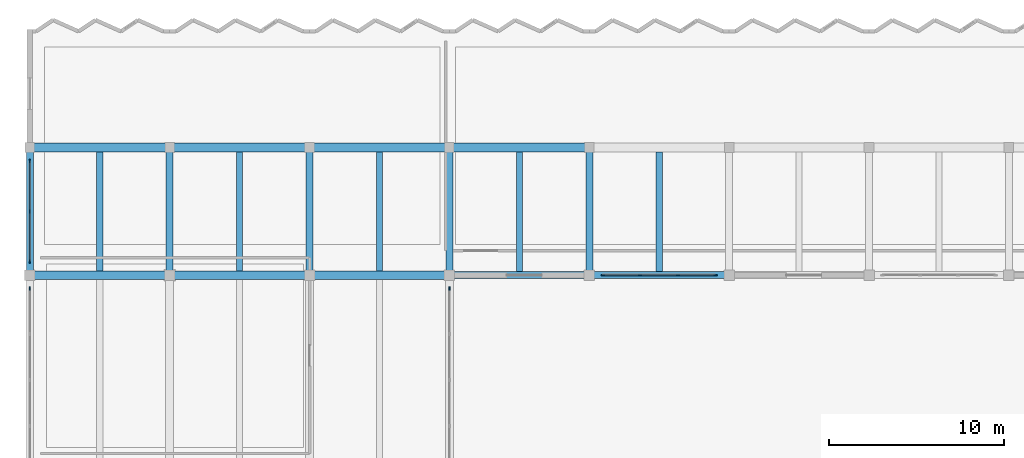
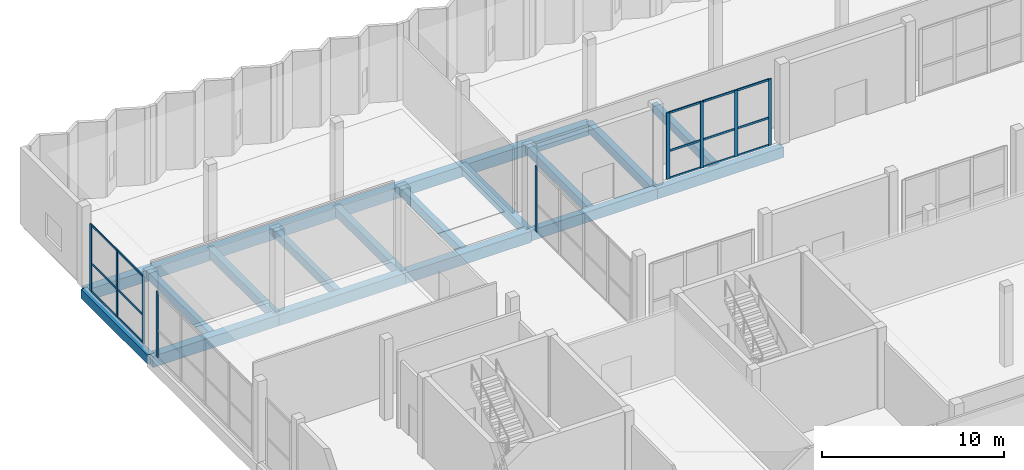
# One storey, part 12 of 41: 24 members, 19 beams, 4 elements without a shape of their own.
"""IFC4 building model written with IfcOpenShell, lengths in metres."""

import ifcopenshell
import ifcopenshell.guid

model = None  # the IFC model being written
_history = None  # IfcOwnerHistory: only IFC2X3 demands one
_inside = {}  # id of a spatial element -> (the spatial element, [elements in it])
_under = {}  # id of a project, library or spatial element -> (it, [spatial elements below it])
_declared = {}  # id of a project -> (the project, [libraries it declares])
_typed = {}  # id of a type object -> (the type object, [elements of that type])
_made_of = {}  # id of a material, layer set ... -> (it, [elements and type objects made of it])


def new_model(schema):
    """Start an empty IFC model of exactly this schema.

    Asked for "IFC4X3", IfcOpenShell would pick the latest addendum, in which some entities
    have other attributes; the version numbers below select the first issue.
    IFC2X3 requires an IfcOwnerHistory on every rooted entity: one is made here for all.
    """
    global model, _history
    if schema == "IFC4X3":
        model = ifcopenshell.file(schema_version=(4, 3, 0, 0))
    else:
        model = ifcopenshell.file(schema=schema)
    _inside.clear()
    _under.clear()
    _declared.clear()
    _typed.clear()
    _made_of.clear()
    _history = None
    if model.schema == "IFC2X3":
        org = make("IfcOrganization", Name="unknown")
        user = make(
            "IfcPersonAndOrganization",
            ThePerson=make("IfcPerson", FamilyName="unknown"),
            TheOrganization=org,
        )
        app = make(
            "IfcApplication",
            ApplicationDeveloper=org,
            Version="unknown",
            ApplicationFullName="unknown",
            ApplicationIdentifier="unknown",
        )
        _history = make(
            "IfcOwnerHistory",
            OwningUser=user,
            OwningApplication=app,
            ChangeAction="ADDED",
            CreationDate=0,
        )
    return model


def make(cls, **values):
    """One entity of the class cls with the attributes given. An attribute that is None is left unset."""
    return model.create_entity(
        cls, **{name: value for name, value in values.items() if value is not None}
    )


def rooted(cls, **values):
    """An entity with a GlobalId (a new one), such as an element, a storey or a relation."""
    return make(cls, GlobalId=ifcopenshell.guid.new(), OwnerHistory=_history, **values)


def si_unit(unit_type, name, prefix=None):
    """IfcSIUnit, for example si_unit("LENGTHUNIT", "METRE", prefix="MILLI")."""
    return make("IfcSIUnit", UnitType=unit_type, Prefix=prefix, Name=name)


def assignment(units):
    """IfcUnitAssignment: the units of a project."""
    return None if units is None else make("IfcUnitAssignment", Units=units)


def point(xyz):
    """IfcCartesianPoint."""
    return None if xyz is None else make("IfcCartesianPoint", Coordinates=xyz)


def direction(xyz):
    """IfcDirection."""
    return None if xyz is None else make("IfcDirection", DirectionRatios=xyz)


def frame(location, z_axis=None, x_axis=None):
    """IfcAxis2Placement3D, a coordinate frame: its origin and axes. An axis left out is left unset."""
    return make(
        "IfcAxis2Placement3D",
        Location=point(location),
        Axis=direction(z_axis),
        RefDirection=direction(x_axis),
    )


def frame_2d(location, x_axis=None):
    """IfcAxis2Placement2D, a coordinate frame in the plane: its origin and x axis."""
    return make(
        "IfcAxis2Placement2D", Location=point(location), RefDirection=direction(x_axis)
    )


def origin():
    """The frame at (0, 0, 0) with its axes left unset."""
    return frame((0.0, 0.0, 0.0))


def origin_2d():
    """The frame at (0, 0) in the plane with its x axis left unset."""
    return frame_2d((0.0, 0.0))


def place(relative_to, where):
    """IfcLocalPlacement: puts the frame where relative to a parent placement (None: the world)."""
    return make(
        "IfcLocalPlacement", PlacementRelTo=relative_to, RelativePlacement=where
    )


def context(
    kind, dimensions, precision=None, world=None, true_north=None, identifier=None
):
    """IfcGeometricRepresentationContext, for example the 3D "Model" context."""
    return make(
        "IfcGeometricRepresentationContext",
        ContextIdentifier=identifier,
        ContextType=kind,
        CoordinateSpaceDimension=dimensions,
        Precision=precision,
        WorldCoordinateSystem=world,
        TrueNorth=true_north,
    )


def subcontext(parent, identifier, kind, view, scale=None):
    """IfcGeometricRepresentationSubContext, for example "Body" below "Model"."""
    return make(
        "IfcGeometricRepresentationSubContext",
        ContextIdentifier=identifier,
        ContextType=kind,
        ParentContext=parent,
        TargetScale=scale,
        TargetView=view,
    )


def project(units=None, contexts=None):
    """IfcProject with its units and contexts."""
    return rooted(
        "IfcProject",
        Name="project",
        RepresentationContexts=contexts,
        UnitsInContext=assignment(units),
    )


def spatial(cls, under=None, at=None, **own):
    """A site, building, storey or space (cls), placed at a placement, below another one or the project."""
    s = rooted(cls, ObjectPlacement=at, **own)
    if under is not None:
        _under.setdefault(under.id(), (under, []))[1].append(s)
    return s


def profile(cls, at=None, kind="AREA", **sizes):
    """A parametric profile (cls). Its sizes go by their IFC names, for example OverallWidth=200.0."""
    return make(cls, ProfileType=kind, Position=at, **sizes)


def rectangle(**sizes):
    """IfcRectangleProfileDef."""
    return profile("IfcRectangleProfileDef", **sizes)


def extrude(swept, where, along, depth):
    """IfcExtrudedAreaSolid: the profile swept, set in the frame where, extruded along a direction by depth."""
    return make(
        "IfcExtrudedAreaSolid",
        SweptArea=swept,
        Position=where,
        ExtrudedDirection=direction(along),
        Depth=depth,
    )


def shape(context_of_items, identifier, shape_type, items):
    """IfcShapeRepresentation: the items that make up one representation, for example the "Body"."""
    return make(
        "IfcShapeRepresentation",
        ContextOfItems=context_of_items,
        RepresentationIdentifier=identifier,
        RepresentationType=shape_type,
        Items=items,
    )


def material(Name=None, Category=None):
    """IfcMaterial."""
    return make("IfcMaterial", Name=Name, Category=Category)


def material_profile(
    of_material, cross_section, Name=None, Category=None, Priority=None
):
    """IfcMaterialProfile: a cross section and its material."""
    return make(
        "IfcMaterialProfile",
        Name=Name,
        Material=of_material,
        Profile=cross_section,
        Priority=Priority,
        Category=Category,
    )


def profile_set(profiles, Name=None, composite=None):
    """IfcMaterialProfileSet."""
    return make(
        "IfcMaterialProfileSet",
        Name=Name,
        MaterialProfiles=profiles,
        CompositeProfile=composite,
    )


def made_of(thing, what):
    """Note that an element or type object is made of a material, layer set ...; save() writes the relation."""
    if what is not None:
        _made_of.setdefault(what.id(), (what, []))[1].append(thing)
    return thing


def type_object(cls, material=None, **own):
    """A type object (cls), such as IfcWallType, which elements share."""
    return made_of(rooted(cls, **own), material)


def element(
    cls,
    number,
    at=None,
    inside=None,
    cuts=None,
    type_object=None,
    material=None,
    context=None,
    identifier="Body",
    shape_type=None,
    held_by="IfcProductDefinitionShape",
    body=None,
    shapes=None,
    **own,
):
    """One element of the class cls, such as IfcWall. Its Tag is "e" and its number.

    at: its placement. inside: the storey or other place that contains it. cuts: it is an
    opening in that element (IfcRelVoidsElement). A single representation is given by context,
    identifier, shape_type and body (its items); several are given by shapes. held_by: the class
    of the entity that holds the representations. save() writes the other relations.
    """
    e = rooted(cls, Tag="e%d" % number, ObjectPlacement=at, **own)
    if body is not None:
        shapes = [shape(context, identifier, shape_type, body)]
    if shapes is not None:
        e.Representation = make(held_by, Representations=shapes)
    if inside is not None:
        _inside.setdefault(inside.id(), (inside, []))[1].append(e)
    if cuts is not None:
        rooted(
            "IfcRelVoidsElement", RelatingBuildingElement=cuts, RelatedOpeningElement=e
        )
    if type_object is not None:
        _typed.setdefault(type_object.id(), (type_object, []))[1].append(e)
    return made_of(e, material)


def aggregate(whole, parts):
    """IfcRelAggregates: a whole, such as a stair, and the parts it consists of."""
    return rooted("IfcRelAggregates", RelatingObject=whole, RelatedObjects=parts)


def save(model, path):
    """Write the relations noted so far, then the file.

    IfcRelAggregates (storeys below a building ...), IfcRelContainedInSpatialStructure (elements
    in a storey), IfcRelDefinesByType, IfcRelAssociatesMaterial and IfcRelDeclares: one each for
    every whole, place, type object, material and project.
    """
    for whole, parts in _under.values():
        aggregate(whole, parts)
    for where, things in _inside.values():
        rooted(
            "IfcRelContainedInSpatialStructure",
            RelatedElements=things,
            RelatingStructure=where,
        )
    for kind, things in _typed.values():
        rooted("IfcRelDefinesByType", RelatedObjects=things, RelatingType=kind)
    for what, things in _made_of.values():
        rooted("IfcRelAssociatesMaterial", RelatedObjects=things, RelatingMaterial=what)
    for by, libraries in _declared.values():
        rooted("IfcRelDeclares", RelatingContext=by, RelatedDefinitions=libraries)
    model.write(path)


model = new_model("IFC4")

# Units and contexts
model_context = context("Model", 3, precision=1e-05, world=origin(), true_north=direction((0.0, 1.0)))
body_context = subcontext(model_context, "Body", "Model", "MODEL_VIEW")
ifc_project = project(units=[si_unit("LENGTHUNIT", "METRE"), si_unit("AREAUNIT", "SQUARE_METRE"), si_unit("VOLUMEUNIT", "CUBIC_METRE"), si_unit("PLANEANGLEUNIT", "RADIAN"), si_unit("MASSUNIT", "GRAM", prefix="KILO")], contexts=[model_context])

# Site, building, storey
site_placement = place(None, origin())
site = spatial("IfcSite", under=ifc_project, at=site_placement, CompositionType="ELEMENT")
building_placement = place(site_placement, origin())
building = spatial("IfcBuilding", under=site, at=building_placement, Name="Vharandega Faculty of Natural Sciences", CompositionType="ELEMENT")
storey_placement = place(building_placement, origin())
storey = spatial("IfcBuildingStorey", under=building, at=storey_placement, Name="L00", CompositionType="ELEMENT", Elevation=0.0)

# Curtain wall, member
ifc_material_1 = material(Name="Aluminium and solar-control glass curtain wall", Category="aluminium")
curtain_wall_type_1 = type_object("IfcCurtainWallType", Name="Unitised Curtain Wall System CW-08", PredefinedType="NOTDEFINED", material=ifc_material_1)
curtain_wall_1_placement = place(storey_placement, origin())
curtain_wall_1 = element("IfcCurtainWall", 1, at=curtain_wall_1_placement, inside=storey, type_object=curtain_wall_type_1, Name="Curtain Wall CW-L00-035", PredefinedType="NOTDEFINED")
ifc_material_2 = material(Name="Thermally broken aluminium 6063-T6", Category="aluminium")
ifc_material_profile_1 = material_profile(ifc_material_2, rectangle(XDim=0.070068359375, YDim=0.199951171875, at=origin_2d()), Name="ALU 70x200")
ifc_profile_set_1 = profile_set([ifc_material_profile_1], Name="Thermally broken aluminium 6063-T6")
member_type_1 = type_object("IfcMemberType", Name="CW Mullion 70x200", PredefinedType="MULLION", material=ifc_profile_set_1)
member_1_placement = place(storey_placement, frame((0.0, 96.22509765625, 0.0), z_axis=(0.0, 0.0, 1.0), x_axis=(-1.0, 0.0, 0.0)))
member_1 = element("IfcMember", 2, at=member_1_placement, type_object=member_type_1, Name="CW-08 mullion 5", PredefinedType="MULLION", context=body_context, shape_type="SweptSolid", body=[
    extrude(rectangle(XDim=0.070068359375, YDim=0.199951171875, at=origin_2d()), origin(), (0.0, 0.0, 1.0), 4.389892578125),
])
aggregate(curtain_wall_1, [member_1])

# Curtain wall, members
ifc_material_3 = material(Name="Aluminium and solar-control glass curtain wall", Category="aluminium")
curtain_wall_type_2 = type_object("IfcCurtainWallType", Name="Unitised Curtain Wall System CW-09", PredefinedType="NOTDEFINED", material=ifc_material_3)
curtain_wall_2_placement = place(storey_placement, origin())
curtain_wall_2 = element("IfcCurtainWall", 3, at=curtain_wall_2_placement, inside=storey, type_object=curtain_wall_type_2, Name="Curtain Wall CW-L00-036", PredefinedType="NOTDEFINED")
member_2_placement = place(storey_placement, frame((0.0, 97.77490234375, 0.0), z_axis=(0.0, 0.0, 1.0), x_axis=(-1.0, 0.0, 0.0)))
member_2 = element("IfcMember", 4, at=member_2_placement, type_object=member_type_1, Name="CW-09 mullion 1", PredefinedType="MULLION", context=body_context, shape_type="SweptSolid", body=[
    extrude(rectangle(XDim=0.070068359375, YDim=0.199951171875, at=origin_2d()), origin(), (0.0, 0.0, 1.0), 4.489990234375),
])
member_3_placement = place(storey_placement, frame((0.0, 100.64990234375, 0.0), z_axis=(0.0, 0.0, 1.0), x_axis=(-1.0, 0.0, 0.0)))
member_3 = element("IfcMember", 5, at=member_3_placement, type_object=member_type_1, Name="CW-09 mullion 2", PredefinedType="MULLION", context=body_context, shape_type="SweptSolid", body=[
    extrude(rectangle(XDim=0.070068359375, YDim=0.199951171875, at=origin_2d()), origin(), (0.0, 0.0, 1.0), 4.489990234375),
])
member_4_placement = place(storey_placement, frame((0.0, 103.52490234375, 0.0), z_axis=(0.0, 0.0, 1.0), x_axis=(-1.0, 0.0, 0.0)))
member_4 = element("IfcMember", 6, at=member_4_placement, type_object=member_type_1, Name="CW-09 mullion 3", PredefinedType="MULLION", context=body_context, shape_type="SweptSolid", body=[
    extrude(rectangle(XDim=0.070068359375, YDim=0.199951171875, at=origin_2d()), origin(), (0.0, 0.0, 1.0), 4.489990234375),
])

ifc_material_4 = material(Name="Aluminium and solar-control glass curtain wall", Category="aluminium")
curtain_wall_type_3 = type_object("IfcCurtainWallType", Name="Unitised Curtain Wall System CW-10", PredefinedType="NOTDEFINED", material=ifc_material_4)
curtain_wall_3_placement = place(storey_placement, origin())
curtain_wall_3 = element("IfcCurtainWall", 7, at=curtain_wall_3_placement, inside=storey, type_object=curtain_wall_type_3, Name="Curtain Wall CW-L00-037", PredefinedType="NOTDEFINED")
member_5_placement = place(storey_placement, frame((32.77490234375, 97.0, 0.0), z_axis=(0.0, 0.0, 1.0), x_axis=(0.0, 1.0, 0.0)))
member_5 = element("IfcMember", 8, at=member_5_placement, type_object=member_type_1, Name="CW-10 mullion 1", PredefinedType="MULLION", context=body_context, shape_type="SweptSolid", body=[
    extrude(rectangle(XDim=0.070068359375, YDim=0.199951171875, at=origin_2d()), origin(), (0.0, 0.0, 1.0), 4.43994140625),
])
member_6_placement = place(storey_placement, frame((34.913330078125, 97.0, 0.0), z_axis=(0.0, 0.0, 1.0), x_axis=(0.0, 1.0, 0.0)))
member_6 = element("IfcMember", 9, at=member_6_placement, type_object=member_type_1, Name="CW-10 mullion 2", PredefinedType="MULLION", context=body_context, shape_type="SweptSolid", body=[
    extrude(rectangle(XDim=0.070068359375, YDim=0.199951171875, at=origin_2d()), origin(), (0.0, 0.0, 1.0), 4.43994140625),
])
member_7_placement = place(storey_placement, frame((37.086669921875, 97.0, 0.0), z_axis=(0.0, 0.0, 1.0), x_axis=(0.0, 1.0, 0.0)))
member_7 = element("IfcMember", 10, at=member_7_placement, type_object=member_type_1, Name="CW-10 mullion 3", PredefinedType="MULLION", context=body_context, shape_type="SweptSolid", body=[
    extrude(rectangle(XDim=0.070068359375, YDim=0.199951171875, at=origin_2d()), origin(), (0.0, 0.0, 1.0), 4.43994140625),
])
member_8_placement = place(storey_placement, frame((39.22509765625, 97.0, 0.0), z_axis=(0.0, 0.0, 1.0), x_axis=(0.0, 1.0, 0.0)))
member_8 = element("IfcMember", 11, at=member_8_placement, type_object=member_type_1, Name="CW-10 mullion 4", PredefinedType="MULLION", context=body_context, shape_type="SweptSolid", body=[
    extrude(rectangle(XDim=0.070068359375, YDim=0.199951171875, at=origin_2d()), origin(), (0.0, 0.0, 1.0), 4.43994140625),
])

# Curtain wall, member
ifc_material_5 = material(Name="Aluminium and solar-control glass curtain wall", Category="aluminium")
curtain_wall_type_4 = type_object("IfcCurtainWallType", Name="Unitised Curtain Wall System CW-13", PredefinedType="NOTDEFINED", material=ifc_material_5)
curtain_wall_4_placement = place(storey_placement, origin())
curtain_wall_4 = element("IfcCurtainWall", 12, at=curtain_wall_4_placement, inside=storey, type_object=curtain_wall_type_4, Name="Curtain Wall CW-L00-040", PredefinedType="NOTDEFINED")
member_9_placement = place(storey_placement, frame((24.0, 96.22509765625, 0.0), z_axis=(0.0, 0.0, 1.0), x_axis=(-1.0, 0.0, 0.0)))
member_9 = element("IfcMember", 13, at=member_9_placement, type_object=member_type_1, Name="CW-13 mullion 5", PredefinedType="MULLION", context=body_context, shape_type="SweptSolid", body=[
    extrude(rectangle(XDim=0.070068359375, YDim=0.199951171875, at=origin_2d()), origin(), (0.0, 0.0, 1.0), 4.389892578125),
])
aggregate(curtain_wall_4, [member_9])

# Member
ifc_material_6 = material(Name="Thermally broken aluminium 6063-T6", Category="aluminium")
ifc_material_profile_2 = material_profile(ifc_material_6, rectangle(XDim=0.06494140625, YDim=0.135009765625, at=origin_2d()), Name="ALU 65x135")
ifc_profile_set_2 = profile_set([ifc_material_profile_2], Name="Thermally broken aluminium 6063-T6")
member_type_2 = type_object("IfcMemberType", Name="CW Transom 65x135", PredefinedType="USERDEFINED", material=ifc_profile_set_2)
member_10_placement = place(storey_placement, frame((0.0, 97.81005859375, 0.032470703125), z_axis=(0.0, 1.0, 0.0), x_axis=(-1.0, 0.0, 0.0)))
member_10 = element("IfcMember", 14, at=member_10_placement, type_object=member_type_2, Name="CW-09 transom 1.1", ObjectType="TRANSOM", PredefinedType="USERDEFINED", context=body_context, shape_type="SweptSolid", body=[
    extrude(rectangle(XDim=0.06494140625, YDim=0.135009765625, at=origin_2d()), origin(), (0.0, 0.0, 1.0), 2.804931640625),
])

member_11_placement = place(storey_placement, frame((0.0, 97.81005859375, 1.8857421875), z_axis=(0.0, 1.0, 0.0), x_axis=(-1.0, 0.0, 0.0)))
member_11 = element("IfcMember", 15, at=member_11_placement, type_object=member_type_2, Name="CW-09 transom 1.2", ObjectType="TRANSOM", PredefinedType="USERDEFINED", context=body_context, shape_type="SweptSolid", body=[
    extrude(rectangle(XDim=0.06494140625, YDim=0.135009765625, at=origin_2d()), origin(), (0.0, 0.0, 1.0), 2.804931640625),
])

member_12_placement = place(storey_placement, frame((0.0, 97.81005859375, 4.45751953125), z_axis=(0.0, 1.0, 0.0), x_axis=(-1.0, 0.0, 0.0)))
member_12 = element("IfcMember", 16, at=member_12_placement, type_object=member_type_2, Name="CW-09 transom 1.3", ObjectType="TRANSOM", PredefinedType="USERDEFINED", context=body_context, shape_type="SweptSolid", body=[
    extrude(rectangle(XDim=0.06494140625, YDim=0.135009765625, at=origin_2d()), origin(), (0.0, 0.0, 1.0), 2.804931640625),
])

member_13_placement = place(storey_placement, frame((0.0, 100.68505859375, 0.032470703125), z_axis=(0.0, 1.0, 0.0), x_axis=(-1.0, 0.0, 0.0)))
member_13 = element("IfcMember", 17, at=member_13_placement, type_object=member_type_2, Name="CW-09 transom 2.1", ObjectType="TRANSOM", PredefinedType="USERDEFINED", context=body_context, shape_type="SweptSolid", body=[
    extrude(rectangle(XDim=0.06494140625, YDim=0.135009765625, at=origin_2d()), origin(), (0.0, 0.0, 1.0), 2.804931640625),
])

member_14_placement = place(storey_placement, frame((0.0, 100.68505859375, 1.8857421875), z_axis=(0.0, 1.0, 0.0), x_axis=(-1.0, 0.0, 0.0)))
member_14 = element("IfcMember", 18, at=member_14_placement, type_object=member_type_2, Name="CW-09 transom 2.2", ObjectType="TRANSOM", PredefinedType="USERDEFINED", context=body_context, shape_type="SweptSolid", body=[
    extrude(rectangle(XDim=0.06494140625, YDim=0.135009765625, at=origin_2d()), origin(), (0.0, 0.0, 1.0), 2.804931640625),
])

member_15_placement = place(storey_placement, frame((0.0, 100.68505859375, 4.45751953125), z_axis=(0.0, 1.0, 0.0), x_axis=(-1.0, 0.0, 0.0)))
member_15 = element("IfcMember", 19, at=member_15_placement, type_object=member_type_2, Name="CW-09 transom 2.3", ObjectType="TRANSOM", PredefinedType="USERDEFINED", context=body_context, shape_type="SweptSolid", body=[
    extrude(rectangle(XDim=0.06494140625, YDim=0.135009765625, at=origin_2d()), origin(), (0.0, 0.0, 1.0), 2.804931640625),
])

aggregate(curtain_wall_2, [member_2, member_3, member_4, member_10, member_11, member_12, member_13, member_14, member_15])

member_16_placement = place(storey_placement, frame((32.81005859375, 97.0, 0.032470703125), z_axis=(1.0, 0.0, 0.0), x_axis=(0.0, 1.0, 0.0)))
member_16 = element("IfcMember", 20, at=member_16_placement, type_object=member_type_2, Name="CW-10 transom 1.1", ObjectType="TRANSOM", PredefinedType="USERDEFINED", context=body_context, shape_type="SweptSolid", body=[
    extrude(rectangle(XDim=0.06494140625, YDim=0.135009765625, at=origin_2d()), origin(), (0.0, 0.0, 1.0), 2.068359375),
])

member_17_placement = place(storey_placement, frame((32.81005859375, 97.0, 1.86474609375), z_axis=(1.0, 0.0, 0.0), x_axis=(0.0, 1.0, 0.0)))
member_17 = element("IfcMember", 21, at=member_17_placement, type_object=member_type_2, Name="CW-10 transom 1.2", ObjectType="TRANSOM", PredefinedType="USERDEFINED", context=body_context, shape_type="SweptSolid", body=[
    extrude(rectangle(XDim=0.06494140625, YDim=0.135009765625, at=origin_2d()), origin(), (0.0, 0.0, 1.0), 2.068359375),
])

member_18_placement = place(storey_placement, frame((32.81005859375, 97.0, 4.407470703125), z_axis=(1.0, 0.0, 0.0), x_axis=(0.0, 1.0, 0.0)))
member_18 = element("IfcMember", 22, at=member_18_placement, type_object=member_type_2, Name="CW-10 transom 1.3", ObjectType="TRANSOM", PredefinedType="USERDEFINED", context=body_context, shape_type="SweptSolid", body=[
    extrude(rectangle(XDim=0.06494140625, YDim=0.135009765625, at=origin_2d()), origin(), (0.0, 0.0, 1.0), 2.068359375),
])

member_19_placement = place(storey_placement, frame((34.9482421875, 97.0, 0.032470703125), z_axis=(1.0, 0.0, 0.0), x_axis=(0.0, 1.0, 0.0)))
member_19 = element("IfcMember", 23, at=member_19_placement, type_object=member_type_2, Name="CW-10 transom 2.1", ObjectType="TRANSOM", PredefinedType="USERDEFINED", context=body_context, shape_type="SweptSolid", body=[
    extrude(rectangle(XDim=0.06494140625, YDim=0.135009765625, at=origin_2d()), origin(), (0.0, 0.0, 1.0), 2.103515625),
])

member_20_placement = place(storey_placement, frame((34.9482421875, 97.0, 1.86474609375), z_axis=(1.0, 0.0, 0.0), x_axis=(0.0, 1.0, 0.0)))
member_20 = element("IfcMember", 24, at=member_20_placement, type_object=member_type_2, Name="CW-10 transom 2.2", ObjectType="TRANSOM", PredefinedType="USERDEFINED", context=body_context, shape_type="SweptSolid", body=[
    extrude(rectangle(XDim=0.06494140625, YDim=0.135009765625, at=origin_2d()), origin(), (0.0, 0.0, 1.0), 2.103515625),
])

member_21_placement = place(storey_placement, frame((34.9482421875, 97.0, 4.407470703125), z_axis=(1.0, 0.0, 0.0), x_axis=(0.0, 1.0, 0.0)))
member_21 = element("IfcMember", 25, at=member_21_placement, type_object=member_type_2, Name="CW-10 transom 2.3", ObjectType="TRANSOM", PredefinedType="USERDEFINED", context=body_context, shape_type="SweptSolid", body=[
    extrude(rectangle(XDim=0.06494140625, YDim=0.135009765625, at=origin_2d()), origin(), (0.0, 0.0, 1.0), 2.103515625),
])

member_22_placement = place(storey_placement, frame((37.12158203125, 97.0, 0.032470703125), z_axis=(1.0, 0.0, 0.0), x_axis=(0.0, 1.0, 0.0)))
member_22 = element("IfcMember", 26, at=member_22_placement, type_object=member_type_2, Name="CW-10 transom 3.1", ObjectType="TRANSOM", PredefinedType="USERDEFINED", context=body_context, shape_type="SweptSolid", body=[
    extrude(rectangle(XDim=0.06494140625, YDim=0.135009765625, at=origin_2d()), origin(), (0.0, 0.0, 1.0), 2.068359375),
])

member_23_placement = place(storey_placement, frame((37.12158203125, 97.0, 1.86474609375), z_axis=(1.0, 0.0, 0.0), x_axis=(0.0, 1.0, 0.0)))
member_23 = element("IfcMember", 27, at=member_23_placement, type_object=member_type_2, Name="CW-10 transom 3.2", ObjectType="TRANSOM", PredefinedType="USERDEFINED", context=body_context, shape_type="SweptSolid", body=[
    extrude(rectangle(XDim=0.06494140625, YDim=0.135009765625, at=origin_2d()), origin(), (0.0, 0.0, 1.0), 2.068359375),
])

member_24_placement = place(storey_placement, frame((37.12158203125, 97.0, 4.407470703125), z_axis=(1.0, 0.0, 0.0), x_axis=(0.0, 1.0, 0.0)))
member_24 = element("IfcMember", 28, at=member_24_placement, type_object=member_type_2, Name="CW-10 transom 3.3", ObjectType="TRANSOM", PredefinedType="USERDEFINED", context=body_context, shape_type="SweptSolid", body=[
    extrude(rectangle(XDim=0.06494140625, YDim=0.135009765625, at=origin_2d()), origin(), (0.0, 0.0, 1.0), 2.068359375),
])

aggregate(curtain_wall_3, [member_5, member_6, member_7, member_8, member_16, member_17, member_18, member_19, member_20, member_21, member_22, member_23, member_24])

# Beams
ifc_material_7 = material(Name="Concrete C40/50", Category="concrete")
ifc_material_profile_3 = material_profile(ifc_material_7, rectangle(XDim=0.5, YDim=0.75, at=origin_2d()), Name="RC 500x750")
ifc_profile_set_3 = profile_set([ifc_material_profile_3], Name="Concrete C40/50")
beam_type_1 = type_object("IfcBeamType", Name="Podium Primary Beam 500x750", PredefinedType="BEAM", material=ifc_profile_set_3)
for number, where, z_axis, x_axis, name in (
    (29, (0.0, 97.0, -0.655029296875), (1.0, 0.0, 0.0), (0.0, 1.0, 0.0), "Beam L00 N/1-2"),
    (30, (8.0, 97.0, -0.655029296875), (1.0, 0.0, 0.0), (0.0, 1.0, 0.0), "Beam L00 N/2-3"),
    (31, (16.0, 97.0, -0.655029296875), (1.0, 0.0, 0.0), (0.0, 1.0, 0.0), "Beam L00 N/3-4"),
    (32, (0.0, 104.300048828125, -0.655029296875), (1.0, 0.0, 0.0), (0.0, 1.0, 0.0), "Beam L00 P/1-2"),
    (33, (8.0, 104.300048828125, -0.655029296875), (1.0, 0.0, 0.0), (0.0, 1.0, 0.0), "Beam L00 P/2-3"),
    (34, (16.0, 104.300048828125, -0.655029296875), (1.0, 0.0, 0.0), (0.0, 1.0, 0.0), "Beam L00 P/3-4"),
    (35, (24.0, 104.300048828125, -0.655029296875), (1.0, 0.0, 0.0), (0.0, 1.0, 0.0), "Beam L00 P/4-5"),
):
    element("IfcBeam", number, at=place(storey_placement, frame(where, z_axis=z_axis, x_axis=x_axis)), inside=storey, type_object=beam_type_1, Name=name, PredefinedType="BEAM", context=body_context, shape_type="SweptSolid", body=[
        extrude(rectangle(XDim=0.5, YDim=0.75, at=origin_2d()), origin(), (0.0, 0.0, 1.0), 8.0),
    ])
ifc_material_8 = material(Name="Concrete C40/50", Category="concrete")
ifc_material_profile_4 = material_profile(ifc_material_8, rectangle(XDim=0.39990234375, YDim=0.60009765625, at=origin_2d()), Name="RC 400x600")
ifc_profile_set_4 = profile_set([ifc_material_profile_4], Name="Concrete C40/50")
beam_type_2 = type_object("IfcBeamType", Name="Podium Rib Beam 400x600", PredefinedType="BEAM", material=ifc_profile_set_4)
for number, where, z_axis, x_axis, name in (
    (36, (0.0, 97.0, -0.580078125), (0.0, 1.0, 0.0), (-1.0, 0.0, 0.0), "Beam L00 1/N-P"),
    (37, (8.0, 97.0, -0.580078125), (0.0, 1.0, 0.0), (-1.0, 0.0, 0.0), "Beam L00 2/N-P"),
    (38, (16.0, 97.0, -0.580078125), (0.0, 1.0, 0.0), (-1.0, 0.0, 0.0), "Beam L00 3/N-P"),
    (39, (24.0, 97.0, -0.580078125), (0.0, 1.0, 0.0), (-1.0, 0.0, 0.0), "Beam L00 4/N-P"),
    (40, (32.0, 97.0, -0.580078125), (0.0, 1.0, 0.0), (-1.0, 0.0, 0.0), "Beam L00 5/N-P"),
):
    element("IfcBeam", number, at=place(storey_placement, frame(where, z_axis=z_axis, x_axis=x_axis)), inside=storey, type_object=beam_type_2, Name=name, PredefinedType="BEAM", context=body_context, shape_type="SweptSolid", body=[
        extrude(rectangle(XDim=0.39990234375, YDim=0.60009765625, at=origin_2d()), origin(), (0.0, 0.0, 1.0), 7.300048828125),
    ])
ifc_material_9 = material(Name="Concrete C40/50", Category="concrete")
ifc_material_profile_5 = material_profile(ifc_material_9, rectangle(XDim=0.35009765625, YDim=0.550048828125, at=origin_2d()), Name="RC 350x550")
ifc_profile_set_5 = profile_set([ifc_material_profile_5], Name="Concrete C40/50")
beam_type_3 = type_object("IfcBeamType", Name="Podium Secondary Beam 350x550", PredefinedType="JOIST", material=ifc_profile_set_5)
for number, where, z_axis, x_axis, name in (
    (41, (4.0, 97.25, -0.554931640625), (0.0, 1.0, 0.0), (-1.0, 0.0, 0.0), "Secondary Joist L00 1-2/N-P"),
    (42, (12.0, 97.25, -0.554931640625), (0.0, 1.0, 0.0), (-1.0, 0.0, 0.0), "Secondary Joist L00 2-3/N-P"),
    (43, (20.0, 97.25, -0.554931640625), (0.0, 1.0, 0.0), (-1.0, 0.0, 0.0), "Secondary Joist L00 3-4/N-P"),
):
    element("IfcBeam", number, at=place(storey_placement, frame(where, z_axis=z_axis, x_axis=x_axis)), inside=storey, type_object=beam_type_3, Name=name, PredefinedType="JOIST", context=body_context, shape_type="SweptSolid", body=[
        extrude(rectangle(XDim=0.35009765625, YDim=0.550048828125, at=origin_2d()), origin(), (0.0, 0.0, 1.0), 6.800048828125),
    ])
for number, where, z_axis, x_axis, name in (
    (44, (28.0, 97.199951171875, -0.554931640625), (0.0, 1.0, 0.0), (-1.0, 0.0, 0.0), "Secondary Joist L00 4-5/N-P"),
    (45, (36.0, 97.199951171875, -0.554931640625), (0.0, 1.0, 0.0), (-1.0, 0.0, 0.0), "Secondary Joist L00 5-6/N-P"),
):
    element("IfcBeam", number, at=place(storey_placement, frame(where, z_axis=z_axis, x_axis=x_axis)), inside=storey, type_object=beam_type_3, Name=name, PredefinedType="JOIST", context=body_context, shape_type="SweptSolid", body=[
        extrude(rectangle(XDim=0.35009765625, YDim=0.550048828125, at=origin_2d()), origin(), (0.0, 0.0, 1.0), 6.85009765625),
    ])
ifc_material_10 = material(Name="Concrete C40/50", Category="concrete")
ifc_material_profile_6 = material_profile(ifc_material_10, rectangle(XDim=0.39990234375, YDim=0.699951171875, at=origin_2d()), Name="RC 400x700")
ifc_profile_set_6 = profile_set([ifc_material_profile_6], Name="Concrete C40/50")
beam_type_4 = type_object("IfcBeamType", Name="Podium Spandrel Beam 400x700", PredefinedType="SPANDREL", material=ifc_profile_set_6)
for number, where, z_axis, x_axis, name in (
    (46, (24.0, 97.0, -0.6298828125), (1.0, 0.0, 0.0), (0.0, 1.0, 0.0), "Beam L00 N/4-5"),
    (47, (32.0, 97.0, -0.6298828125), (1.0, 0.0, 0.0), (0.0, 1.0, 0.0), "Beam L00 N/5-6"),
):
    element("IfcBeam", number, at=place(storey_placement, frame(where, z_axis=z_axis, x_axis=x_axis)), inside=storey, type_object=beam_type_4, Name=name, PredefinedType="SPANDREL", context=body_context, shape_type="SweptSolid", body=[
        extrude(rectangle(XDim=0.39990234375, YDim=0.699951171875, at=origin_2d()), origin(), (0.0, 0.0, 1.0), 8.0),
    ])

save(model, "model.ifc")
